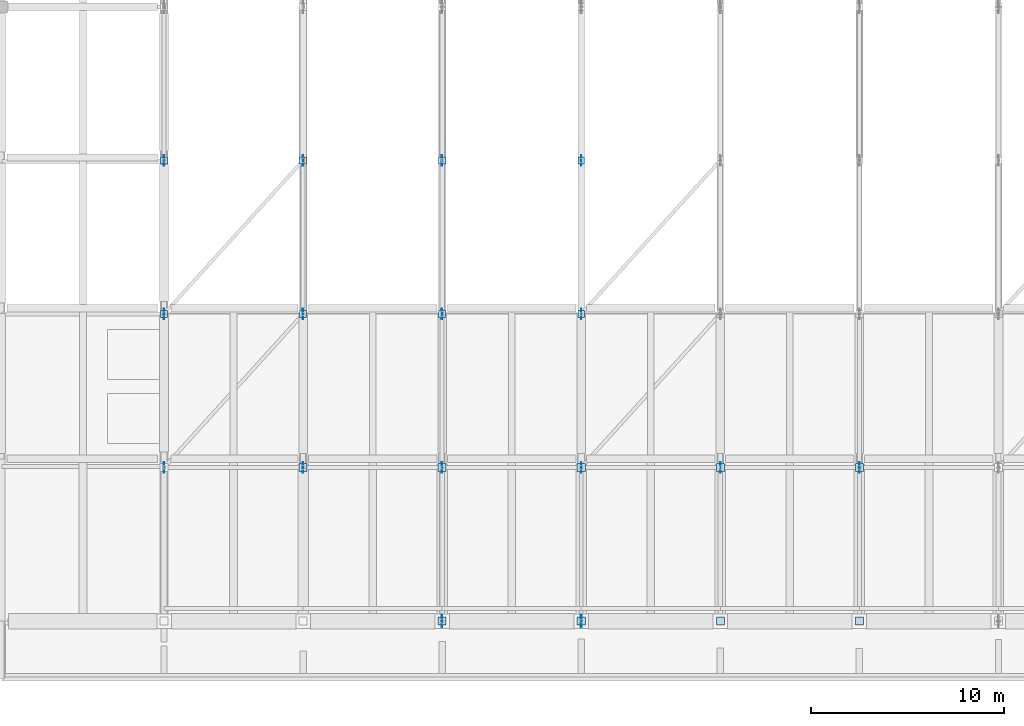
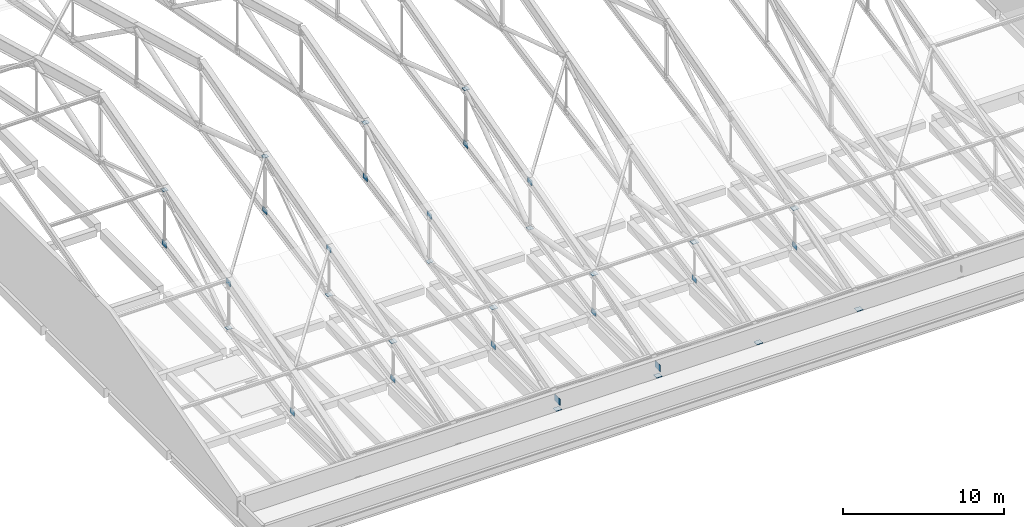
# One storey, part 43 of 53: 33 plates.
"""IFC4 building model written with IfcOpenShell, lengths in metres."""

from ifc_helpers import new_model, si_unit, direction, frame, origin, origin_2d, place, context, subcontext, project, spatial, rectangle, extrude, material, layer, layer_set, type_object, element, save


model = new_model("IFC4")

# Units and contexts
model_context = context("Model", 3, precision=1e-05, world=origin(), true_north=direction((0.0, 1.0)))
body_context = subcontext(model_context, "Body", "Model", "MODEL_VIEW")
ifc_project = project(units=[si_unit("LENGTHUNIT", "METRE"), si_unit("AREAUNIT", "SQUARE_METRE"), si_unit("VOLUMEUNIT", "CUBIC_METRE"), si_unit("PLANEANGLEUNIT", "RADIAN"), si_unit("MASSUNIT", "GRAM", prefix="KILO")], contexts=[model_context])

# Site, building, storey
site_placement = place(None, origin())
site = spatial("IfcSite", under=ifc_project, at=site_placement, CompositionType="ELEMENT")
building_placement = place(site_placement, origin())
building = spatial("IfcBuilding", under=site, at=building_placement, Name="Pellamere Symphony Hall", CompositionType="ELEMENT")
storey_placement = place(building_placement, frame((0.0, 0.0, 24.0)))
storey = spatial("IfcBuildingStorey", under=building, at=storey_placement, Name="L05", CompositionType="ELEMENT", Elevation=24.0)

# Plates
ifc_material = material(Name="Steel CSA G40.21 350W", Category="steel")
ifc_layer_1 = layer(ifc_material, 0.02490234375, Name="Steel CSA G40.21 350W")
ifc_layer_set_1 = layer_set([ifc_layer_1], Name="Steel CSA G40.21 350W")
plate_type_1 = type_object("IfcPlateType", Name="Steel Connection Plate KP-01 420x420x25", PredefinedType="SHEET", material=ifc_layer_set_1)
for number, where, z_axis, x_axis, name in (
    (1, (66.0, 37.949951171875, 2.985107421875), (0.0, 0.0, 1.0), (1.0, 0.0, 0.0), "Roof Truss Node End Cap Plate KN1 020"),
    (2, (73.199951171875, 30.0, 0.1474609375), (0.0, 0.0, 1.0), (1.0, 0.0, 0.0), "Roof Truss Node End Cap Plate KN1 037"),
    (3, (73.199951171875, 37.949951171875, 3.026123046875), (0.0, 0.0, 1.0), (1.0, 0.0, 0.0), "Roof Truss Node End Cap Plate KN1 038"),
    (4, (80.39990234375, 30.0, 0.1474609375), (0.0, 0.0, 1.0), (1.0, 0.0, 0.0), "Roof Truss Node End Cap Plate KN1 057"),
    (5, (80.39990234375, 37.949951171875, 3.06494140625), (0.0, 0.0, 1.0), (1.0, 0.0, 0.0), "Roof Truss Node End Cap Plate KN1 058"),
    (6, (87.60009765625, 30.0, 0.1474609375), (0.0, 0.0, 1.0), (1.0, 0.0, 0.0), "Roof Truss Node End Cap Plate KN1 077"),
    (7, (87.60009765625, 37.949951171875, 2.948974609375), (0.0, 0.0, 1.0), (1.0, 0.0, 0.0), "Roof Truss Node End Cap Plate KN1 078"),
    (8, (94.800048828125, 30.0, 0.1474609375), (0.0, 0.0, 1.0), (1.0, 0.0, 0.0), "Roof Truss Node End Cap Plate KN1 095"),
    (9, (94.800048828125, 37.949951171875, 2.987060546875), (0.0, 0.0, 1.0), (1.0, 0.0, 0.0), "Roof Truss Node End Cap Plate KN1 096"),
):
    element("IfcPlate", number, at=place(storey_placement, frame(where, z_axis=z_axis, x_axis=x_axis)), inside=storey, type_object=plate_type_1, Name=name, PredefinedType="SHEET", context=body_context, shape_type="SweptSolid", body=[
        extrude(rectangle(XDim=0.419921875, YDim=0.419921875, at=origin_2d()), origin(), (0.0, 0.0, 1.0), 0.02490234375),
    ])
ifc_layer_2 = layer(ifc_material, 0.02197265625, Name="Steel CSA G40.21 350W")
ifc_layer_set_2 = layer_set([ifc_layer_2], Name="Steel CSA G40.21 350W")
plate_type_2 = type_object("IfcPlateType", Name="Steel Connection Plate KP-02 360x360x22", PredefinedType="SHEET", material=ifc_layer_set_2)
for number, where, z_axis, x_axis, name in (
    (10, (58.800048828125, 45.89990234375, 1.69580078125), (0.0, 0.0, 1.0), (1.0, 0.0, 0.0), "Roof Truss Node End Cap Plate KN2 003"),
    (11, (58.800048828125, 53.85009765625, 7.338134765625), (0.0, 0.0, 1.0), (1.0, 0.0, 0.0), "Roof Truss Node End Cap Plate KN3 004"),
    (12, (66.0, 45.89990234375, 1.69580078125), (0.0, 0.0, 1.0), (1.0, 0.0, 0.0), "Roof Truss Node End Cap Plate KN2 021"),
    (13, (66.0, 53.85009765625, 7.366455078125), (0.0, 0.0, 1.0), (1.0, 0.0, 0.0), "Roof Truss Node End Cap Plate KN3 022"),
    (14, (73.199951171875, 45.89990234375, 1.69580078125), (0.0, 0.0, 1.0), (1.0, 0.0, 0.0), "Roof Truss Node End Cap Plate KN2 039"),
    (15, (73.199951171875, 53.85009765625, 7.407470703125), (0.0, 0.0, 1.0), (1.0, 0.0, 0.0), "Roof Truss Node End Cap Plate KN3 040"),
    (16, (80.39990234375, 45.89990234375, 1.69580078125), (0.0, 0.0, 1.0), (1.0, 0.0, 0.0), "Roof Truss Node End Cap Plate KN2 059"),
    (17, (80.39990234375, 53.85009765625, 7.446533203125), (0.0, 0.0, 1.0), (1.0, 0.0, 0.0), "Roof Truss Node End Cap Plate KN3 060"),
):
    element("IfcPlate", number, at=place(storey_placement, frame(where, z_axis=z_axis, x_axis=x_axis)), inside=storey, type_object=plate_type_2, Name=name, PredefinedType="SHEET", context=body_context, shape_type="SweptSolid", body=[
        extrude(rectangle(XDim=0.360107421875, YDim=0.360107421875, at=origin_2d()), origin(), (0.0, 0.0, 1.0), 0.02197265625),
    ])
ifc_layer_3 = layer(ifc_material, 0.028076171875, Name="Steel CSA G40.21 350W")
ifc_layer_set_3 = layer_set([ifc_layer_3], Name="Steel CSA G40.21 350W")
plate_type_3 = type_object("IfcPlateType", Name="Steel Connection Plate KP-03 650x480x28", PredefinedType="USERDEFINED", material=ifc_layer_set_3)
for number, where, z_axis, x_axis, name in (
    (18, (73.199951171875, 30.0, 0.6083984375), (0.0, 0.0, 1.0), (1.0, 0.0, 0.0), "Roof Truss Upper Gusset Plate KN1 046"),
    (19, (80.39990234375, 30.0, 0.6474609375), (0.0, 0.0, 1.0), (1.0, 0.0, 0.0), "Roof Truss Upper Gusset Plate KN1 066"),
):
    element("IfcPlate", number, at=place(storey_placement, frame(where, z_axis=z_axis, x_axis=x_axis)), inside=storey, type_object=plate_type_3, Name=name, ObjectType="GUSSET PLATE", PredefinedType="USERDEFINED", context=body_context, shape_type="SweptSolid", body=[
        extrude(rectangle(XDim=0.028076171875, YDim=0.64990234375, at=origin_2d()), origin(), (0.0, 0.0, 1.0), 0.47998046875),
    ])
ifc_layer_4 = layer(ifc_material, 0.02392578125, Name="Steel CSA G40.21 350W")
ifc_layer_set_4 = layer_set([ifc_layer_4], Name="Steel CSA G40.21 350W")
plate_type_4 = type_object("IfcPlateType", Name="Steel Connection Plate KP-04 550x400x24", PredefinedType="USERDEFINED", material=ifc_layer_set_4)
for number, where, z_axis, x_axis, name in (
    (20, (58.800048828125, 37.949951171875, -0.0400390625), (0.0, 0.0, 1.0), (1.0, 0.0, 0.0), "Roof Truss Lower Gusset Plate KN2 011"),
    (21, (58.800048828125, 45.89990234375, 4.958984375), (0.0, 0.0, 1.0), (1.0, 0.0, 0.0), "Roof Truss Upper Gusset Plate KN3 012"),
    (22, (58.800048828125, 53.85009765625, 3.053466796875), (0.0, 0.0, 1.0), (1.0, 0.0, 0.0), "Roof Truss Lower Gusset Plate KN4 013"),
    (23, (66.0, 37.949951171875, -0.0400390625), (0.0, 0.0, 1.0), (1.0, 0.0, 0.0), "Roof Truss Lower Gusset Plate KN2 029"),
    (24, (66.0, 45.89990234375, 4.987548828125), (0.0, 0.0, 1.0), (1.0, 0.0, 0.0), "Roof Truss Upper Gusset Plate KN3 030"),
    (25, (66.0, 53.85009765625, 3.053466796875), (0.0, 0.0, 1.0), (1.0, 0.0, 0.0), "Roof Truss Lower Gusset Plate KN4 031"),
    (26, (73.199951171875, 37.949951171875, -0.0400390625), (0.0, 0.0, 1.0), (1.0, 0.0, 0.0), "Roof Truss Lower Gusset Plate KN2 048"),
    (27, (73.199951171875, 45.89990234375, 5.028564453125), (0.0, 0.0, 1.0), (1.0, 0.0, 0.0), "Roof Truss Upper Gusset Plate KN3 049"),
    (28, (73.199951171875, 53.85009765625, 3.053466796875), (0.0, 0.0, 1.0), (1.0, 0.0, 0.0), "Roof Truss Lower Gusset Plate KN4 050"),
    (29, (80.39990234375, 37.949951171875, -0.0400390625), (0.0, 0.0, 1.0), (1.0, 0.0, 0.0), "Roof Truss Lower Gusset Plate KN2 068"),
    (30, (80.39990234375, 45.89990234375, 5.067626953125), (0.0, 0.0, 1.0), (1.0, 0.0, 0.0), "Roof Truss Upper Gusset Plate KN3 069"),
    (31, (80.39990234375, 53.85009765625, 3.053466796875), (0.0, 0.0, 1.0), (1.0, 0.0, 0.0), "Roof Truss Lower Gusset Plate KN4 070"),
    (32, (87.60009765625, 37.949951171875, -0.0400390625), (0.0, 0.0, 1.0), (1.0, 0.0, 0.0), "Roof Truss Lower Gusset Plate KN2 087"),
    (33, (94.800048828125, 37.949951171875, -0.0400390625), (0.0, 0.0, 1.0), (1.0, 0.0, 0.0), "Roof Truss Lower Gusset Plate KN2 105"),
):
    element("IfcPlate", number, at=place(storey_placement, frame(where, z_axis=z_axis, x_axis=x_axis)), inside=storey, type_object=plate_type_4, Name=name, ObjectType="GUSSET PLATE", PredefinedType="USERDEFINED", context=body_context, shape_type="SweptSolid", body=[
        extrude(rectangle(XDim=0.02392578125, YDim=0.550048828125, at=origin_2d()), origin(), (0.0, 0.0, 1.0), 0.39990234375),
    ])

save(model, "model.ifc")
